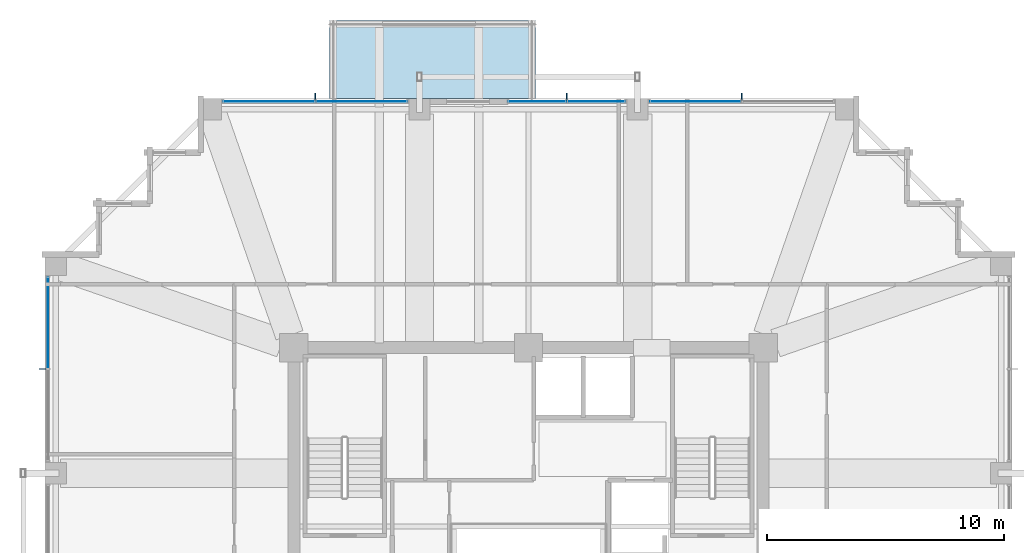
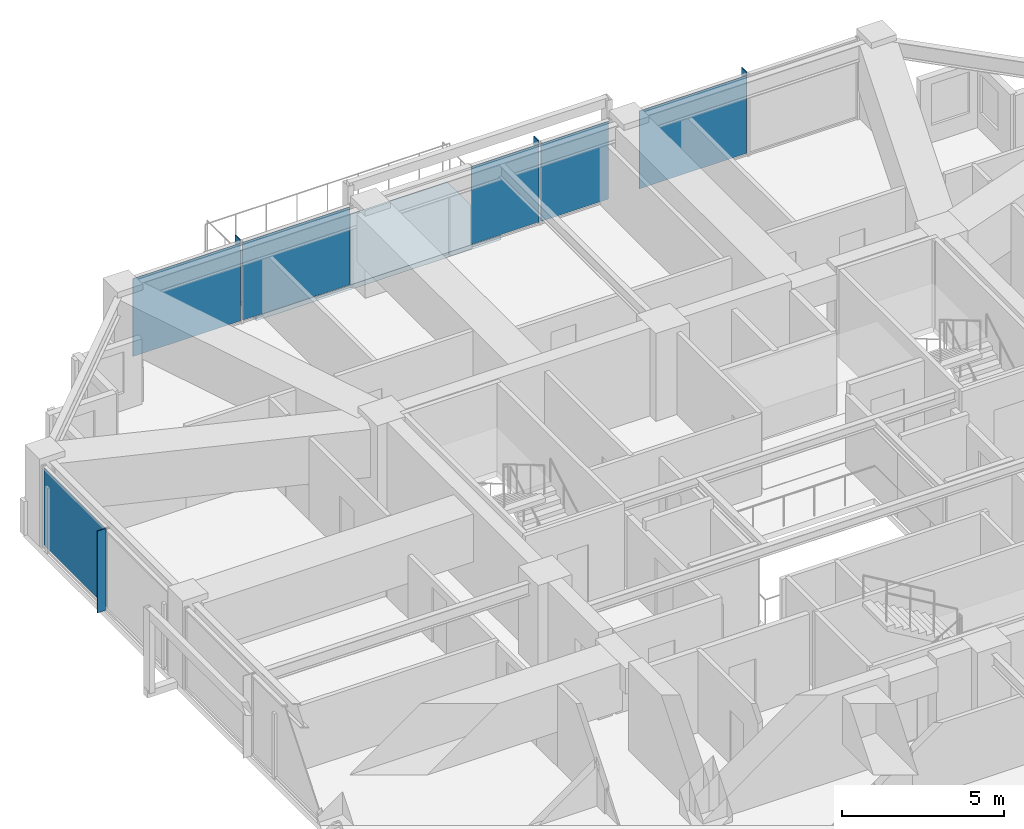
# One storey, part 29 of 37: 10 plates, 1 slab, 4 elements without a shape of their own.
"""IFC4 building model written with IfcOpenShell, lengths in metres."""

from ifc_helpers import new_model, si_unit, direction, frame, origin, origin_2d, place, context, subcontext, project, spatial, polyline, rectangle, outline, extrude, material, layer, layer_set, type_object, element, aggregate, save


model = new_model("IFC4")

# Units and contexts
model_context = context("Model", 3, precision=1e-05, world=origin(), true_north=direction((0.0, 1.0)))
body_context = subcontext(model_context, "Body", "Model", "MODEL_VIEW")
ifc_project = project(units=[si_unit("LENGTHUNIT", "METRE"), si_unit("AREAUNIT", "SQUARE_METRE"), si_unit("VOLUMEUNIT", "CUBIC_METRE"), si_unit("PLANEANGLEUNIT", "RADIAN"), si_unit("MASSUNIT", "GRAM", prefix="KILO")], contexts=[model_context])

# Site, building, storey
site_placement = place(None, origin())
site = spatial("IfcSite", under=ifc_project, at=site_placement, CompositionType="ELEMENT")
building_placement = place(site_placement, origin())
building = spatial("IfcBuilding", under=site, at=building_placement, Name="Kolvaren Belvedere", CompositionType="ELEMENT")
storey_placement = place(building_placement, frame((0.0, 0.0, 186.60009765625)))
storey = spatial("IfcBuildingStorey", under=building, at=storey_placement, Name="L54", CompositionType="ELEMENT", Elevation=186.60009765625)

# Curtain wall, plates
ifc_material_1 = material(Name="Anodised pale-metal aluminium AA 6063-T6", Category="aluminium")
curtain_wall_type = type_object("IfcCurtainWallType", Name="CW-Z5-HIGH", PredefinedType="NOTDEFINED", material=ifc_material_1)
curtain_wall_1_placement = place(storey_placement, origin())
curtain_wall_1 = element("IfcCurtainWall", 1, at=curtain_wall_1_placement, inside=storey, type_object=curtain_wall_type, Name="L54 Unitised Curtain Wall FCW-L54-N1", PredefinedType="NOTDEFINED")
ifc_material_2 = material(Name="Low-iron triple insulated glass", Category="glass")
ifc_layer_1 = layer(ifc_material_2, 0.028076171875)
ifc_layer_set_1 = layer_set([ifc_layer_1], Name="Low-iron triple insulated glass")
plate_type_1 = type_object("IfcPlateType", Name="CW-PNL-VIS28", PredefinedType="CURTAIN_PANEL", material=ifc_layer_set_1)
plate_1_placement = place(storey_placement, frame((-10.947509765625, 20.280029296875, 0.079833984375), z_axis=(0.0, 0.0, 1.0), x_axis=(1.0, 0.0, 0.0)))
plate_1 = element("IfcPlate", 2, at=plate_1_placement, type_object=plate_type_1, Name="FCW-L54-N1 Vision Glazing Panel 1", PredefinedType="CURTAIN_PANEL", context=body_context, shape_type="SweptSolid", body=[
    extrude(rectangle(XDim=3.81494140625, YDim=0.028076171875, at=origin_2d()), origin(), (0.0, 0.0, 1.0), 2.919921875),
])
plate_2_placement = place(storey_placement, frame((-7.052490234375, 20.280029296875, 0.079833984375), z_axis=(0.0, 0.0, 1.0), x_axis=(1.0, 0.0, 0.0)))
plate_2 = element("IfcPlate", 3, at=plate_2_placement, type_object=plate_type_1, Name="FCW-L54-N1 Vision Glazing Panel 2", PredefinedType="CURTAIN_PANEL", context=body_context, shape_type="SweptSolid", body=[
    extrude(rectangle(XDim=3.81494140625, YDim=0.028076171875, at=origin_2d()), origin(), (0.0, 0.0, 1.0), 2.919921875),
])
aggregate(curtain_wall_1, [plate_1, plate_2])

curtain_wall_2_placement = place(storey_placement, origin())
curtain_wall_2 = element("IfcCurtainWall", 4, at=curtain_wall_2_placement, inside=storey, type_object=curtain_wall_type, Name="L54 Unitised Curtain Wall FCW-L54-N2-B1", PredefinedType="NOTDEFINED")
plate_3_placement = place(storey_placement, frame((0.37109375, 20.280029296875, 0.079833984375), z_axis=(0.0, 0.0, 1.0), x_axis=(1.0, 0.0, 0.0)))
plate_3 = element("IfcPlate", 5, at=plate_3_placement, type_object=plate_type_1, Name="FCW-L54-N2-B1 Vision Glazing Panel 1", PredefinedType="CURTAIN_PANEL", context=body_context, shape_type="SweptSolid", body=[
    extrude(rectangle(XDim=2.402587890625, YDim=0.028076171875, at=origin_2d()), origin(), (0.0, 0.0, 1.0), 2.919921875),
])
plate_4_placement = place(storey_placement, frame((2.853759765625, 20.280029296875, 0.079833984375), z_axis=(0.0, 0.0, 1.0), x_axis=(1.0, 0.0, 0.0)))
plate_4 = element("IfcPlate", 6, at=plate_4_placement, type_object=plate_type_1, Name="FCW-L54-N2-B1 Vision Glazing Panel 2", PredefinedType="CURTAIN_PANEL", context=body_context, shape_type="SweptSolid", body=[
    extrude(rectangle(XDim=2.402587890625, YDim=0.028076171875, at=origin_2d()), origin(), (0.0, 0.0, 1.0), 2.919921875),
])
aggregate(curtain_wall_2, [plate_3, plate_4])

# Curtain wall, plate
curtain_wall_3_placement = place(storey_placement, origin())
curtain_wall_3 = element("IfcCurtainWall", 7, at=curtain_wall_3_placement, inside=storey, type_object=curtain_wall_type, Name="L54 Unitised Curtain Wall FCW-L54-N2-B2", PredefinedType="NOTDEFINED")
plate_5_placement = place(storey_placement, frame((7.052490234375, 20.280029296875, 0.079833984375), z_axis=(0.0, 0.0, 1.0), x_axis=(1.0, 0.0, 0.0)))
plate_5 = element("IfcPlate", 8, at=plate_5_placement, type_object=plate_type_1, Name="FCW-L54-N2-B2 Vision Glazing Panel 1", PredefinedType="CURTAIN_PANEL", context=body_context, shape_type="SweptSolid", body=[
    extrude(rectangle(XDim=3.81494140625, YDim=0.028076171875, at=origin_2d()), origin(), (0.0, 0.0, 1.0), 2.919921875),
])
aggregate(curtain_wall_3, [plate_5])

curtain_wall_4_placement = place(storey_placement, origin())
curtain_wall_4 = element("IfcCurtainWall", 9, at=curtain_wall_4_placement, inside=storey, type_object=curtain_wall_type, Name="L54 Unitised Curtain Wall FCW-L54-W-B3", PredefinedType="NOTDEFINED")
plate_6_placement = place(storey_placement, frame((-20.280029296875, 10.947509765625, 0.079833984375), z_axis=(0.0, 0.0, 1.0), x_axis=(0.0, 1.0, 0.0)))
plate_6 = element("IfcPlate", 10, at=plate_6_placement, type_object=plate_type_1, Name="FCW-L54-W-B3 Vision Glazing Panel 2", PredefinedType="CURTAIN_PANEL", context=body_context, shape_type="SweptSolid", body=[
    extrude(rectangle(XDim=3.81494140625, YDim=0.028076171875, at=origin_2d()), origin(), (0.0, 0.0, 1.0), 2.919921875),
])
aggregate(curtain_wall_4, [plate_6])

# Plates
ifc_material_3 = material(Name="Anodised pale-metal aluminium AA 6063-T6", Category="aluminium")
ifc_layer_2 = layer(ifc_material_3, 0.030029296875)
ifc_layer_set_2 = layer_set([ifc_layer_2], Name="Anodised pale-metal aluminium AA 6063-T6")
plate_type_2 = type_object("IfcPlateType", Name="FIN-VERT-300", PredefinedType="USERDEFINED", material=ifc_layer_set_2)
for number, where, z_axis, x_axis, name in (
    (11, (-9.0, 20.489990234375, -0.000244140625), (0.0, 0.0, 1.0), (0.0, 1.0, 0.0), "L54 Pale-Metal Vertical Shading Fin FCW-L54-N1-1"),
    (12, (1.612548828125, 20.489990234375, -0.000244140625), (0.0, 0.0, 1.0), (0.0, 1.0, 0.0), "L54 Pale-Metal Vertical Shading Fin FCW-L54-N2-B1-1"),
    (13, (9.0, 20.489990234375, -0.000244140625), (0.0, 0.0, 1.0), (0.0, 1.0, 0.0), "L54 Pale-Metal Vertical Shading Fin FCW-L54-N2-B2-1"),
    (14, (-20.489990234375, 9.0, -0.000244140625), (0.0, 0.0, 1.0), (1.0, 0.0, 0.0), "L54 Pale-Metal Vertical Shading Fin FCW-L54-W-B3-1"),
):
    element("IfcPlate", number, at=place(storey_placement, frame(where, z_axis=z_axis, x_axis=x_axis)), inside=storey, type_object=plate_type_2, Name=name, ObjectType="VERTICAL FIN", PredefinedType="USERDEFINED", context=body_context, shape_type="SweptSolid", body=[
        extrude(rectangle(XDim=0.300048828125, YDim=0.030029296875, at=origin_2d()), origin(), (0.0, 0.0, 1.0), 3.080078125),
    ])

# Slab
ifc_material_4 = material(Name="Concrete C50/60", Category="concrete")
ifc_layer_3 = layer(ifc_material_4, 0.179931640625)
ifc_layer_set_3 = layer_set([ifc_layer_3], Name="Concrete C50/60")
slab_type = type_object("IfcSlabType", Name="SL-BAL-180", PredefinedType="FLOOR", material=ifc_layer_set_3)
slab_placement = place(storey_placement, frame((0.0, 0.0, -0.22021484375)))
element("IfcSlab", 15, at=slab_placement, inside=storey, type_object=slab_type, Name="L54 Planted Sky Terrace SPIRAL-08-N", PredefinedType="FLOOR", context=body_context, shape_type="SweptSolid", body=[
    extrude(outline(polyline([(-8.39990234375, 20.39990234375), (0.300048828125, 20.39990234375), (0.300048828125, 23.699951171875), (-8.39990234375, 23.699951171875), (-8.39990234375, 20.39990234375)])), origin(), (0.0, 0.0, 1.0), 0.18017578125),
])

save(model, "model.ifc")
